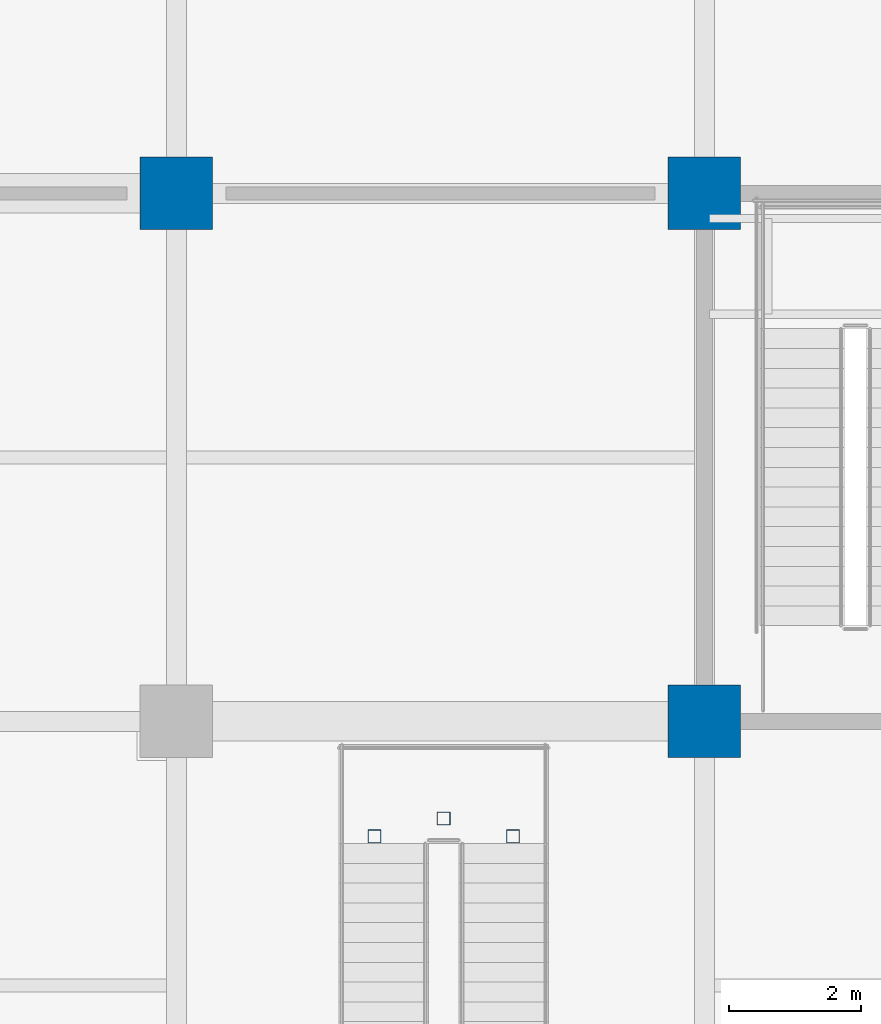
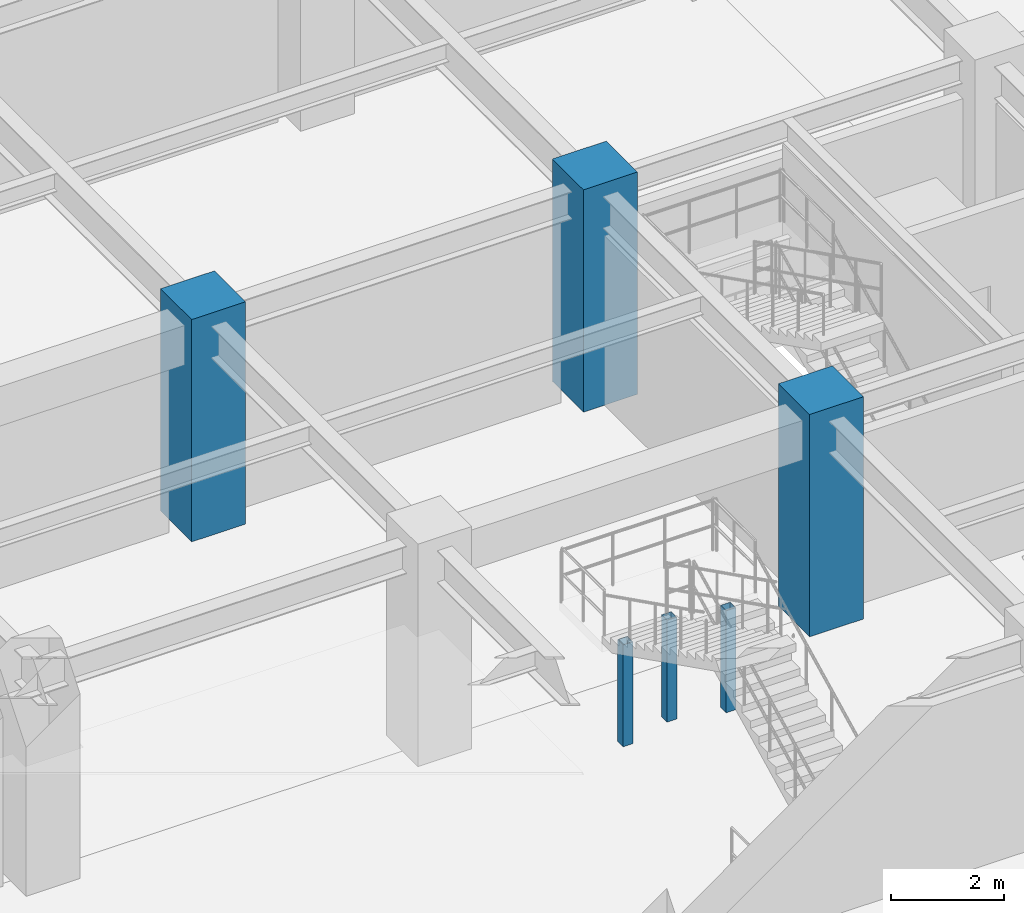
# One storey, part 18 of 125: 6 columns.
"""IFC4 building model written with IfcOpenShell, lengths in metres."""

from ifc_helpers import new_model, si_unit, direction, frame, origin, origin_2d, place, context, subcontext, project, spatial, rectangle, hollow_rectangle, extrude, material, material_profile, profile_set, type_object, element, save


model = new_model("IFC4")

# Units and contexts
model_context = context("Model", 3, precision=1e-05, world=origin(), true_north=direction((0.0, 1.0)))
body_context = subcontext(model_context, "Body", "Model", "MODEL_VIEW")
ifc_project = project(units=[si_unit("LENGTHUNIT", "METRE"), si_unit("AREAUNIT", "SQUARE_METRE"), si_unit("VOLUMEUNIT", "CUBIC_METRE"), si_unit("PLANEANGLEUNIT", "RADIAN"), si_unit("MASSUNIT", "GRAM", prefix="KILO")], contexts=[model_context])

# Site, building, storey
site_placement = place(None, origin())
site = spatial("IfcSite", under=ifc_project, at=site_placement, CompositionType="ELEMENT")
building_placement = place(site_placement, origin())
building = spatial("IfcBuilding", under=site, at=building_placement, Name="Haebicheon Civic Stadium", CompositionType="ELEMENT")
storey_placement = place(building_placement, origin())
storey = spatial("IfcBuildingStorey", under=building, at=storey_placement, Name="L01", CompositionType="ELEMENT", Elevation=0.0)

# Columns
ifc_material_1 = material(Name="Concrete C40/50", Category="concrete")
ifc_material_profile_1 = material_profile(ifc_material_1, rectangle(XDim=1.10009765625, YDim=1.10009765625, at=origin_2d()), Name="RC-COL-1100x1100")
ifc_profile_set_1 = profile_set([ifc_material_profile_1], Name="Concrete C40/50")
column_type_1 = type_object("IfcColumnType", Name="COL-RC-1100", PredefinedType="COLUMN", material=ifc_profile_set_1)
for number, where, z_axis, x_axis, name in (
    (1, (80.0, 168.0, 0.0), (0.0, 0.0, 1.0), (1.0, 0.0, 0.0), "L01 column 11/X"),
    (2, (88.0, 160.0, 0.0), (0.0, 0.0, 1.0), (1.0, 0.0, 0.0), "L01 column 12/W"),
    (3, (88.0, 168.0, 0.0), (0.0, 0.0, 1.0), (1.0, 0.0, 0.0), "L01 column 12/X"),
):
    element("IfcColumn", number, at=place(storey_placement, frame(where, z_axis=z_axis, x_axis=x_axis)), inside=storey, type_object=column_type_1, material=ifc_profile_set_1, Name=name, PredefinedType="COLUMN", context=body_context, shape_type="SweptSolid", body=[
        extrude(rectangle(XDim=1.10009765625, YDim=1.10009765625, at=origin_2d()), origin(), (0.0, 0.0, 1.0), 4.800048828125),
    ])
ifc_material_2 = material(Name="Steel SM355 (S355)", Category="steel")
ifc_material_profile_2 = material_profile(ifc_material_2, hollow_rectangle(XDim=0.199951171875, YDim=0.199951171875, WallThickness=0.009033203125, at=origin_2d()), Name="RHS-200x200x9.0")
ifc_profile_set_2 = profile_set([ifc_material_profile_2], Name="Steel SM355 (S355)")
column_type_2 = type_object("IfcColumnType", Name="COL-ST-RHS200", PredefinedType="COLUMN", material=ifc_profile_set_2)
for number, where, z_axis, x_axis, name in (
    (4, (83.0, 158.260009765625, 0.0), (0.0, 0.0, 1.0), (1.0, 0.0, 0.0), "VM-09 L01 vomitory landing support post A"),
    (5, (85.10009765625, 158.260009765625, 0.0), (0.0, 0.0, 1.0), (1.0, 0.0, 0.0), "VM-09 L01 vomitory landing support post B"),
    (6, (84.050048828125, 158.530029296875, 0.0), (0.0, 0.0, 1.0), (1.0, 0.0, 0.0), "VM-09 L01 vomitory landing support post C"),
):
    element("IfcColumn", number, at=place(storey_placement, frame(where, z_axis=z_axis, x_axis=x_axis)), inside=storey, type_object=column_type_2, material=ifc_profile_set_2, Name=name, PredefinedType="COLUMN", context=body_context, shape_type="SweptSolid", body=[
        extrude(hollow_rectangle(XDim=0.199951171875, YDim=0.199951171875, WallThickness=0.009033203125, at=origin_2d()), origin(), (0.0, 0.0, 1.0), 2.199951171875),
    ])

save(model, "model.ifc")
